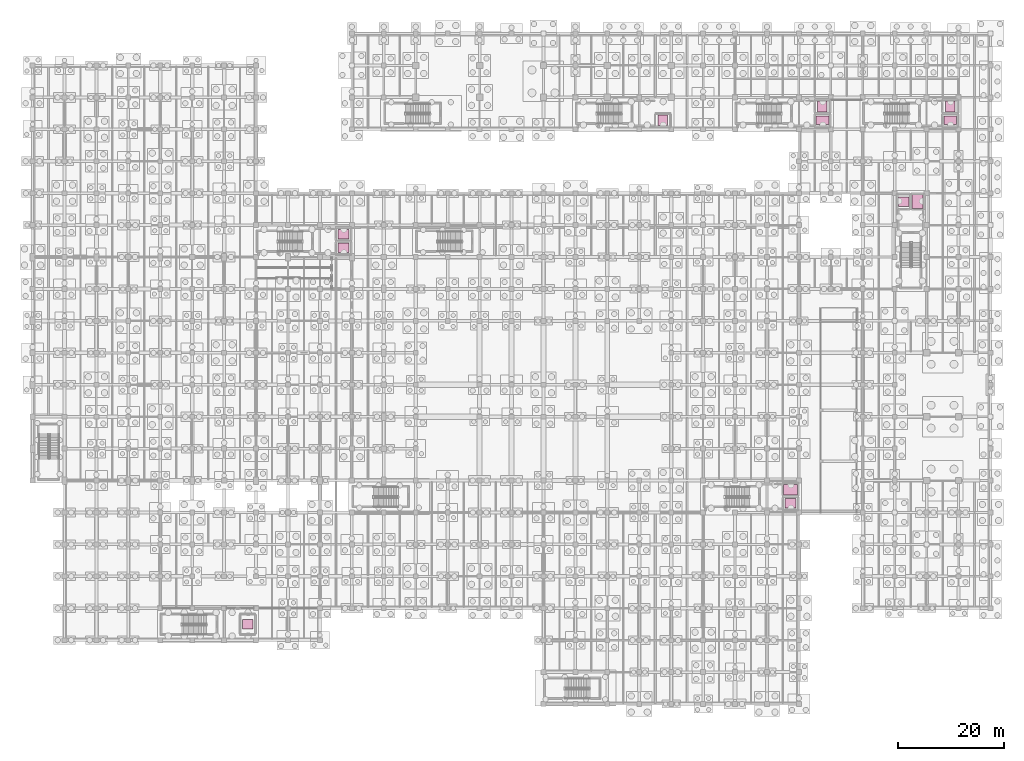
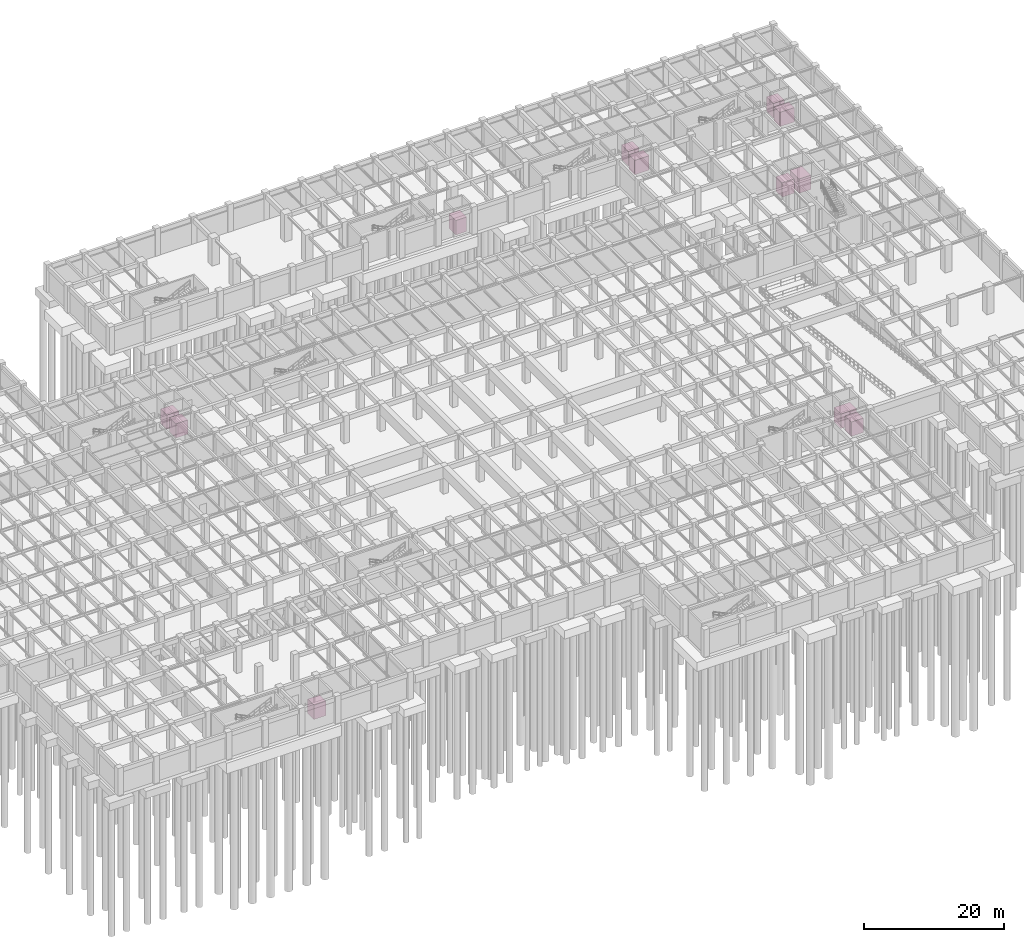
# One storey, part 54 of 54: 12 transport elements.
"""IFC4 building model written with IfcOpenShell, lengths in metres."""

from ifc_helpers import new_model, si_unit, direction, frame, origin, origin_2d, place, context, subcontext, project, spatial, rectangle, extrude, material, type_object, element, save


model = new_model("IFC4")

# Units and contexts
model_context = context("Model", 3, precision=1e-05, world=origin(), true_north=direction((0.0, 1.0)))
body_context = subcontext(model_context, "Body", "Model", "MODEL_VIEW")
ifc_project = project(units=[si_unit("LENGTHUNIT", "METRE"), si_unit("AREAUNIT", "SQUARE_METRE"), si_unit("VOLUMEUNIT", "CUBIC_METRE"), si_unit("PLANEANGLEUNIT", "RADIAN"), si_unit("MASSUNIT", "GRAM", prefix="KILO"), si_unit("THERMODYNAMICTEMPERATUREUNIT", "KELVIN"), si_unit("POWERUNIT", "WATT")], contexts=[model_context])

# Site, building, storey
site_placement = place(None, origin())
site = spatial("IfcSite", under=ifc_project, at=site_placement, CompositionType="ELEMENT")
building_placement = place(site_placement, origin())
building = spatial("IfcBuilding", under=site, at=building_placement, Name="Phaisarnlok Congress Hotel", CompositionType="ELEMENT")
storey_placement = place(building_placement, frame((0.0, 0.0, -4.800048828125)))
storey = spatial("IfcBuildingStorey", under=building, at=storey_placement, Name="B01", CompositionType="ELEMENT", Elevation=-4.800048828125)

# Transport elements
ifc_material = material(Name="Brushed Stainless Steel Grade 304 Elevator Cab", Category="steel")
transport_element_type_1 = type_object("IfcTransportElementType", Name="LFT-FF-1600x2400", PredefinedType="ELEVATOR", material=ifc_material)
for number, where, z_axis, x_axis, name in (
    (1, (172.425048828125, 109.72509765625, 0.0), (0.0, 0.0, 1.0), (1.0, 0.0, 0.0), "Firefighting Elevator LF-FF1"),
    (2, (148.425048828125, 109.72509765625, 0.0), (0.0, 0.0, 1.0), (1.0, 0.0, 0.0), "Firefighting Elevator LF-FF2"),
):
    element("IfcTransportElement", number, at=place(storey_placement, frame(where, z_axis=z_axis, x_axis=x_axis)), inside=storey, type_object=transport_element_type_1, Name=name, PredefinedType="ELEVATOR", context=body_context, shape_type="SweptSolid", body=[
        extrude(rectangle(XDim=2.39990234375, YDim=1.60009765625, at=origin_2d()), origin(), (0.0, 0.0, 1.0), 2.5),
    ])
transport_element_type_2 = type_object("IfcTransportElementType", Name="LFT-PAX-1800x2000", PredefinedType="ELEVATOR", material=ifc_material)
for number, where, z_axis, x_axis, name in (
    (3, (58.425048828125, 85.72509765625, 0.0), (0.0, 0.0, 1.0), (1.0, 0.0, 0.0), "Passenger Elevator LF-CP1"),
    (4, (58.425048828125, 88.27490234375, 0.0), (0.0, 0.0, 1.0), (1.0, 0.0, 0.0), "Passenger Elevator LF-SP1"),
    (5, (142.425048828125, 37.72509765625, 0.0), (0.0, 0.0, 1.0), (1.0, 0.0, 0.0), "Passenger Elevator LF-CP2"),
    (6, (40.425048828125, 15.0, 0.0), (0.0, 0.0, 1.0), (1.0, 0.0, 0.0), "MRT Concourse Elevator LF-MP1"),
):
    element("IfcTransportElement", number, at=place(storey_placement, frame(where, z_axis=z_axis, x_axis=x_axis)), inside=storey, type_object=transport_element_type_2, Name=name, PredefinedType="ELEVATOR", context=body_context, shape_type="SweptSolid", body=[
        extrude(rectangle(XDim=2.0, YDim=1.800048828125, at=origin_2d()), origin(), (0.0, 0.0, 1.0), 2.5),
    ])
transport_element_type_3 = type_object("IfcTransportElementType", Name="LFT-PAX-2000x1800", PredefinedType="ELEVATOR", material=ifc_material)
for number, where, z_axis, x_axis, name in (
    (7, (172.425048828125, 112.27490234375, 0.0), (0.0, 0.0, 1.0), (1.0, 0.0, 0.0), "Passenger Elevator LF-HP1"),
    (8, (148.425048828125, 112.27490234375, 0.0), (0.0, 0.0, 1.0), (1.0, 0.0, 0.0), "Passenger Elevator LF-HP2"),
):
    element("IfcTransportElement", number, at=place(storey_placement, frame(where, z_axis=z_axis, x_axis=x_axis)), inside=storey, type_object=transport_element_type_3, Name=name, PredefinedType="ELEVATOR", context=body_context, shape_type="SweptSolid", body=[
        extrude(rectangle(XDim=1.800048828125, YDim=2.0, at=origin_2d()), origin(), (0.0, 0.0, 1.0), 2.5),
    ])
transport_element_1_placement = place(storey_placement, frame((163.72509765625, 94.425048828125, 0.0), z_axis=(0.0, 0.0, 1.0), x_axis=(1.0, 0.0, 0.0)))
element("IfcTransportElement", 9, at=transport_element_1_placement, inside=storey, type_object=transport_element_type_3, Name="Passenger Elevator LF-HP3", PredefinedType="ELEVATOR", context=body_context, shape_type="SweptSolid", body=[
    extrude(rectangle(XDim=2.0, YDim=1.800048828125, at=origin_2d()), origin(), (0.0, 0.0, 1.0), 2.5),
])
transport_element_2_placement = place(storey_placement, frame((118.425048828125, 109.72509765625, 0.0), z_axis=(0.0, 0.0, 1.0), x_axis=(1.0, 0.0, 0.0)))
element("IfcTransportElement", 10, at=transport_element_2_placement, inside=storey, type_object=transport_element_type_3, Name="Passenger Elevator LF-HP4", PredefinedType="ELEVATOR", context=body_context, shape_type="SweptSolid", body=[
    extrude(rectangle(XDim=1.800048828125, YDim=2.0, at=origin_2d()), origin(), (0.0, 0.0, 1.0), 2.5),
])
transport_element_type_4 = type_object("IfcTransportElementType", Name="LFT-SVC-2000x2600", PredefinedType="ELEVATOR", material=ifc_material)
transport_element_3_placement = place(storey_placement, frame((166.27490234375, 94.425048828125, 0.0), z_axis=(0.0, 0.0, 1.0), x_axis=(1.0, 0.0, 0.0)))
element("IfcTransportElement", 11, at=transport_element_3_placement, inside=storey, type_object=transport_element_type_4, Name="Passenger Elevator LF-SV1", PredefinedType="ELEVATOR", context=body_context, shape_type="SweptSolid", body=[
    extrude(rectangle(XDim=2.0, YDim=2.60009765625, at=origin_2d()), origin(), (0.0, 0.0, 1.0), 2.5),
])
transport_element_4_placement = place(storey_placement, frame((142.425048828125, 40.27490234375, 0.0), z_axis=(0.0, 0.0, 1.0), x_axis=(1.0, 0.0, 0.0)))
element("IfcTransportElement", 12, at=transport_element_4_placement, inside=storey, type_object=transport_element_type_4, Name="Passenger Elevator LF-SV2", PredefinedType="ELEVATOR", context=body_context, shape_type="SweptSolid", body=[
    extrude(rectangle(XDim=2.60009765625, YDim=2.0, at=origin_2d()), origin(), (0.0, 0.0, 1.0), 2.5),
])

save(model, "model.ifc")
